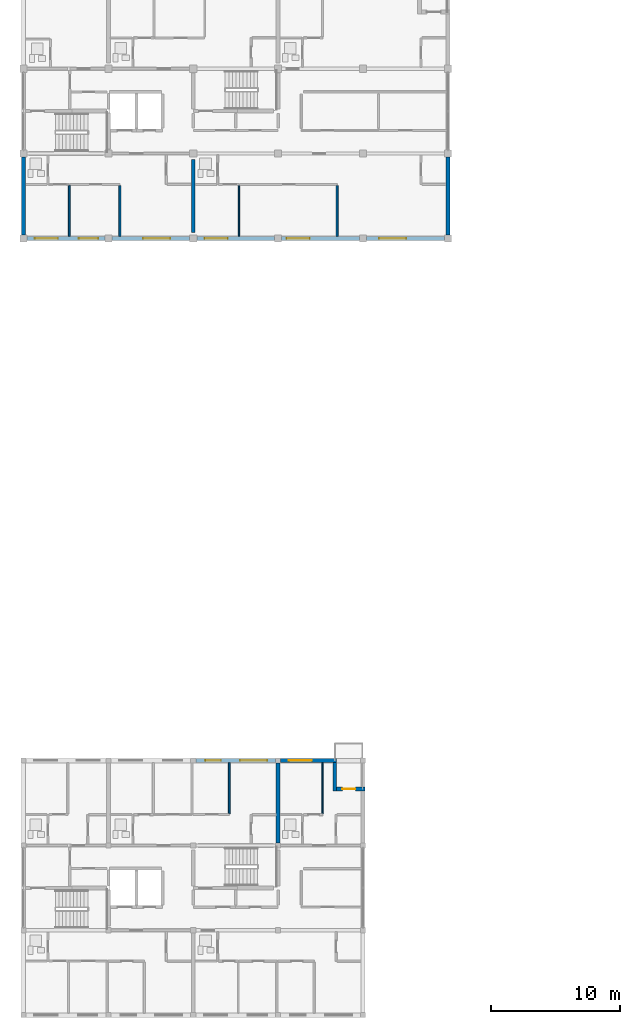
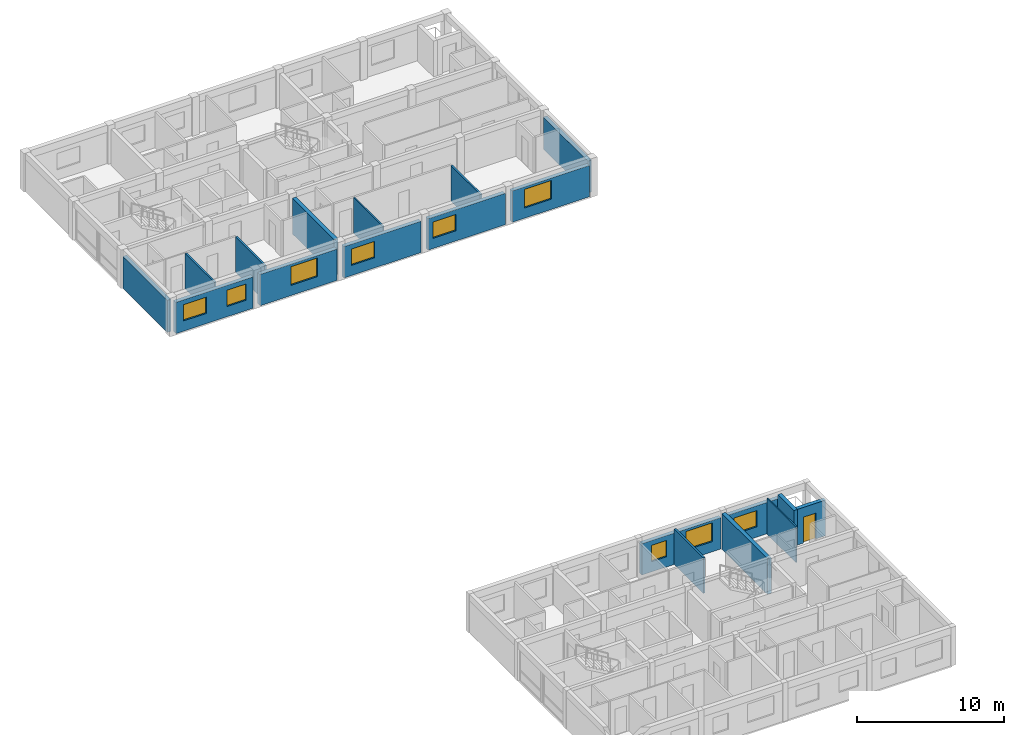
# One storey, part 27 of 45: 19 walls, 9 windows, 1 door, 10 openings.
"""IFC4 building model written with IfcOpenShell, lengths in metres."""

from ifc_helpers import new_model, si_unit, direction, frame, frame_2d, origin, place, context, subcontext, project, spatial, rectangle, extrude, material, layer, layer_set, type_object, element, fill, save


model = new_model("IFC4")

# Units and contexts
model_context = context("Model", 3, precision=1e-05, world=origin(), true_north=direction((0.0, 1.0)))
body_context = subcontext(model_context, "Body", "Model", "MODEL_VIEW")
ifc_project = project(units=[si_unit("LENGTHUNIT", "METRE"), si_unit("AREAUNIT", "SQUARE_METRE"), si_unit("VOLUMEUNIT", "CUBIC_METRE"), si_unit("PLANEANGLEUNIT", "RADIAN"), si_unit("MASSUNIT", "GRAM", prefix="KILO")], contexts=[model_context])

# Site, building, storey
site_placement = place(None, origin())
site = spatial("IfcSite", under=ifc_project, at=site_placement, CompositionType="ELEMENT")
building_placement = place(site_placement, origin())
building = spatial("IfcBuilding", under=site, at=building_placement, Name="Kernevlak Ridge Housing Community", CompositionType="ELEMENT")
storey_placement = place(building_placement, frame((0.0, 0.0, 14.800048828125)))
storey = spatial("IfcBuildingStorey", under=building, at=storey_placement, Name="L04", CompositionType="ELEMENT", Elevation=14.800048828125)

# Wall, openings, windows
ifc_material_1 = material(Name="Concrete block masonry M10", Category="masonry")
ifc_layer_1 = layer(ifc_material_1, 0.300048828125, Name="Concrete block masonry M10")
ifc_layer_set_1 = layer_set([ifc_layer_1], Name="Concrete block masonry M10")
wall_type_1 = type_object("IfcWallType", Name="EW-01", PredefinedType="STANDARD", material=ifc_layer_set_1)
wall_1_placement = place(storey_placement, frame((15.875, 76.0, 0.0), z_axis=(0.0, 0.0, 1.0), x_axis=(1.0, 0.0, 0.0)))
wall_1 = element("IfcWall", 1, at=wall_1_placement, inside=storey, type_object=wall_type_1, Name="Exterior wall EW-01 L04 61", PredefinedType="STANDARD", context=body_context, shape_type="SweptSolid", body=[
    extrude(rectangle(XDim=6.050048828125, YDim=0.300048828125, at=frame_2d((3.02490234375, 0.0))), origin(), (0.0, 0.0, 1.0), 2.599853515625),
])
opening_1_placement = place(wall_1_placement, frame((0.60009765625, 0.0, 0.85009765625)))
opening_1 = element("IfcOpeningElement", 2, at=opening_1_placement, cuts=wall_1, Name="Opening WT-03", PredefinedType="OPENING", context=body_context, shape_type="SweptSolid", body=[
    extrude(rectangle(XDim=1.800048828125, YDim=1.35009765625, at=frame_2d((0.89990234375, 0.675048828125))), frame((0.0, 0.159912109375, 0.0), z_axis=(0.0, -1.0, 0.0), x_axis=(1.0, 0.0, 0.0)), (0.0, 0.0, 1.0), 0.320068359375),
])
opening_2_placement = place(wall_1_placement, frame((4.02490234375, 0.0, 0.85009765625)))
opening_2 = element("IfcOpeningElement", 3, at=opening_2_placement, cuts=wall_1, Name="Opening WT-02", PredefinedType="OPENING", context=body_context, shape_type="SweptSolid", body=[
    extrude(rectangle(XDim=1.5, YDim=1.35009765625, at=frame_2d((0.75, 0.675048828125))), frame((0.0, 0.159912109375, 0.0), z_axis=(0.0, -1.0, 0.0), x_axis=(1.0, 0.0, 0.0)), (0.0, 0.0, 1.0), 0.320068359375),
])
ifc_material_2 = material(Name="Aluminium EN AW-6060 anodised and laminated glass", Category="aluminium")
window_type_1 = type_object("IfcWindowType", Name="WT-02", PartitioningType="SINGLE_PANEL", PredefinedType="WINDOW", material=ifc_material_2)
window_1_placement = place(opening_2_placement, origin())
window_1 = element("IfcWindow", 4, at=window_1_placement, inside=storey, type_object=window_type_1, Name="Window WT-02 L04 46", OverallHeight=1.35009765625, OverallWidth=1.5, PartitioningType="SINGLE_PANEL", PredefinedType="WINDOW", context=body_context, shape_type="SweptSolid", body=[
    extrude(rectangle(XDim=1.5, YDim=1.35009765625, at=frame_2d((0.75, 0.675048828125))), frame((0.0, 0.030029296875, 0.0), z_axis=(0.0, -1.0, 0.0), x_axis=(1.0, 0.0, 0.0)), (0.0, 0.0, 1.0), 0.06005859375),
])
fill(opening_2, window_1)
window_type_2 = type_object("IfcWindowType", Name="WT-03", PartitioningType="SINGLE_PANEL", PredefinedType="WINDOW", material=ifc_material_2)
window_2_placement = place(opening_1_placement, origin())
window_2 = element("IfcWindow", 5, at=window_2_placement, inside=storey, type_object=window_type_2, Name="Window WT-03 L04 45", OverallHeight=1.35009765625, OverallWidth=1.800048828125, PartitioningType="SINGLE_PANEL", PredefinedType="WINDOW", context=body_context, shape_type="SweptSolid", body=[
    extrude(rectangle(XDim=1.800048828125, YDim=1.35009765625, at=frame_2d((0.89990234375, 0.675048828125))), frame((0.0, 0.030029296875, 0.0), z_axis=(0.0, -1.0, 0.0), x_axis=(1.0, 0.0, 0.0)), (0.0, 0.0, 1.0), 0.06005859375),
])
fill(opening_1, window_2)

# Wall, opening, window
wall_2_placement = place(storey_placement, frame((22.47509765625, 76.0, 0.0), z_axis=(0.0, 0.0, 1.0), x_axis=(1.0, 0.0, 0.0)))
wall_2 = element("IfcWall", 6, at=wall_2_placement, inside=storey, type_object=wall_type_1, Name="Exterior wall EW-01 L04 62", PredefinedType="STANDARD", context=body_context, shape_type="SweptSolid", body=[
    extrude(rectangle(XDim=6.0498046875, YDim=0.300048828125, at=frame_2d((3.02490234375, 0.0))), origin(), (0.0, 0.0, 1.0), 2.599853515625),
])
opening_3_placement = place(wall_2_placement, frame((2.4208984375, 0.0, 0.85009765625)))
opening_3 = element("IfcOpeningElement", 7, at=opening_3_placement, cuts=wall_2, Name="Opening WT-05", PredefinedType="OPENING", context=body_context, shape_type="SweptSolid", body=[
    extrude(rectangle(XDim=2.10009765625, YDim=1.550048828125, at=frame_2d((1.050048828125, 0.77490234375))), frame((0.0, 0.159912109375, 0.0), z_axis=(0.0, -1.0, 0.0), x_axis=(1.0, 0.0, 0.0)), (0.0, 0.0, 1.0), 0.320068359375),
])
window_type_3 = type_object("IfcWindowType", Name="WT-05", PartitioningType="SINGLE_PANEL", PredefinedType="WINDOW", material=ifc_material_2)
window_3_placement = place(opening_3_placement, origin())
window_3 = element("IfcWindow", 8, at=window_3_placement, inside=storey, type_object=window_type_3, Name="Window WT-05 L04 47", OverallHeight=1.550048828125, OverallWidth=2.10009765625, PartitioningType="SINGLE_PANEL", PredefinedType="WINDOW", context=body_context, shape_type="SweptSolid", body=[
    extrude(rectangle(XDim=2.10009765625, YDim=1.550048828125, at=frame_2d((1.050048828125, 0.77490234375))), frame((0.0, 0.030029296875, 0.0), z_axis=(0.0, -1.0, 0.0), x_axis=(1.0, 0.0, 0.0)), (0.0, 0.0, 1.0), 0.06005859375),
])
fill(opening_3, window_3)

wall_3_placement = place(storey_placement, frame((29.074951171875, 76.0, 0.0), z_axis=(0.0, 0.0, 1.0), x_axis=(1.0, 0.0, 0.0)))
wall_3 = element("IfcWall", 9, at=wall_3_placement, inside=storey, type_object=wall_type_1, Name="Exterior wall EW-01 L04 63", PredefinedType="STANDARD", context=body_context, shape_type="SweptSolid", body=[
    extrude(rectangle(XDim=6.050048828125, YDim=0.300048828125, at=frame_2d((3.02490234375, 0.0))), origin(), (0.0, 0.0, 1.0), 2.599853515625),
])
opening_4_placement = place(wall_3_placement, frame((0.60009765625, 0.0, 0.85009765625)))
opening_4 = element("IfcOpeningElement", 10, at=opening_4_placement, cuts=wall_3, Name="Opening WT-03", PredefinedType="OPENING", context=body_context, shape_type="SweptSolid", body=[
    extrude(rectangle(XDim=1.800048828125, YDim=1.35009765625, at=frame_2d((0.89990234375, 0.675048828125))), frame((0.0, 0.159912109375, 0.0), z_axis=(0.0, -1.0, 0.0), x_axis=(1.0, 0.0, 0.0)), (0.0, 0.0, 1.0), 0.320068359375),
])
window_4_placement = place(opening_4_placement, origin())
window_4 = element("IfcWindow", 11, at=window_4_placement, inside=storey, type_object=window_type_2, Name="Window WT-03 L04 48", OverallHeight=1.35009765625, OverallWidth=1.800048828125, PartitioningType="SINGLE_PANEL", PredefinedType="WINDOW", context=body_context, shape_type="SweptSolid", body=[
    extrude(rectangle(XDim=1.800048828125, YDim=1.35009765625, at=frame_2d((0.89990234375, 0.675048828125))), frame((0.0, 0.030029296875, 0.0), z_axis=(0.0, -1.0, 0.0), x_axis=(1.0, 0.0, 0.0)), (0.0, 0.0, 1.0), 0.06005859375),
])
fill(opening_4, window_4)

wall_4_placement = place(storey_placement, frame((35.675048828125, 76.0, 0.0), z_axis=(0.0, 0.0, 1.0), x_axis=(1.0, 0.0, 0.0)))
wall_4 = element("IfcWall", 12, at=wall_4_placement, inside=storey, type_object=wall_type_1, Name="Exterior wall EW-01 L04 64", PredefinedType="STANDARD", context=body_context, shape_type="SweptSolid", body=[
    extrude(rectangle(XDim=6.050048828125, YDim=0.300048828125, at=frame_2d((3.02490234375, 0.0))), origin(), (0.0, 0.0, 1.0), 2.599853515625),
])
opening_5_placement = place(wall_4_placement, frame((0.375, 0.0, 0.85009765625)))
opening_5 = element("IfcOpeningElement", 13, at=opening_5_placement, cuts=wall_4, Name="Opening WT-03", PredefinedType="OPENING", context=body_context, shape_type="SweptSolid", body=[
    extrude(rectangle(XDim=1.800048828125, YDim=1.35009765625, at=frame_2d((0.89990234375, 0.675048828125))), frame((0.0, 0.159912109375, 0.0), z_axis=(0.0, -1.0, 0.0), x_axis=(1.0, 0.0, 0.0)), (0.0, 0.0, 1.0), 0.320068359375),
])
window_5_placement = place(opening_5_placement, origin())
window_5 = element("IfcWindow", 14, at=window_5_placement, inside=storey, type_object=window_type_2, Name="Window WT-03 L04 49", OverallHeight=1.35009765625, OverallWidth=1.800048828125, PartitioningType="SINGLE_PANEL", PredefinedType="WINDOW", context=body_context, shape_type="SweptSolid", body=[
    extrude(rectangle(XDim=1.800048828125, YDim=1.35009765625, at=frame_2d((0.89990234375, 0.675048828125))), frame((0.0, 0.030029296875, 0.0), z_axis=(0.0, -1.0, 0.0), x_axis=(1.0, 0.0, 0.0)), (0.0, 0.0, 1.0), 0.06005859375),
])
fill(opening_5, window_5)

wall_5_placement = place(storey_placement, frame((42.27490234375, 76.0, 0.0), z_axis=(0.0, 0.0, 1.0), x_axis=(1.0, 0.0, 0.0)))
wall_5 = element("IfcWall", 15, at=wall_5_placement, inside=storey, type_object=wall_type_1, Name="Exterior wall EW-01 L04 65", PredefinedType="STANDARD", context=body_context, shape_type="SweptSolid", body=[
    extrude(rectangle(XDim=6.050048828125, YDim=0.300048828125, at=frame_2d((3.02490234375, 0.0))), origin(), (0.0, 0.0, 1.0), 2.599853515625),
])
opening_6_placement = place(wall_5_placement, frame((0.968994140625, 0.0, 0.85009765625)))
opening_6 = element("IfcOpeningElement", 16, at=opening_6_placement, cuts=wall_5, Name="Opening WT-05", PredefinedType="OPENING", context=body_context, shape_type="SweptSolid", body=[
    extrude(rectangle(XDim=2.10009765625, YDim=1.550048828125, at=frame_2d((1.050048828125, 0.77490234375))), frame((0.0, 0.159912109375, 0.0), z_axis=(0.0, -1.0, 0.0), x_axis=(1.0, 0.0, 0.0)), (0.0, 0.0, 1.0), 0.320068359375),
])
window_6_placement = place(opening_6_placement, origin())
window_6 = element("IfcWindow", 17, at=window_6_placement, inside=storey, type_object=window_type_3, Name="Window WT-05 L04 50", OverallHeight=1.550048828125, OverallWidth=2.10009765625, PartitioningType="SINGLE_PANEL", PredefinedType="WINDOW", context=body_context, shape_type="SweptSolid", body=[
    extrude(rectangle(XDim=2.10009765625, YDim=1.550048828125, at=frame_2d((1.050048828125, 0.77490234375))), frame((0.0, 0.030029296875, 0.0), z_axis=(0.0, -1.0, 0.0), x_axis=(1.0, 0.0, 0.0)), (0.0, 0.0, 1.0), 0.06005859375),
])
fill(opening_6, window_6)

# Walls
for number, where, z_axis, x_axis, name in (
    (18, (15.60009765625, 76.27490234375, 0.0), (0.0, 0.0, 1.0), (0.0, 1.0, 0.0), "Exterior wall EW-01 L04 73"),
    (19, (48.60009765625, 76.27490234375, 0.0), (0.0, 0.0, 1.0), (0.0, 1.0, 0.0), "Exterior wall EW-01 L04 75"),
):
    element("IfcWall", number, at=place(storey_placement, frame(where, z_axis=z_axis, x_axis=x_axis)), inside=storey, type_object=wall_type_1, Name=name, PredefinedType="STANDARD", context=body_context, shape_type="SweptSolid", body=[
        extrude(rectangle(XDim=6.050048828125, YDim=0.300048828125, at=frame_2d((3.02490234375, 0.0))), origin(), (0.0, 0.0, 1.0), 2.64990234375),
    ])

# Wall, openings, windows
wall_6_placement = place(storey_placement, frame((29.0, 35.39990234375, 0.0), z_axis=(0.0, 0.0, 1.0), x_axis=(1.0, 0.0, 0.0)))
wall_6 = element("IfcWall", 20, at=wall_6_placement, inside=storey, type_object=wall_type_1, Name="Exterior wall EW-01 L04 773", PredefinedType="STANDARD", context=body_context, shape_type="SweptSolid", body=[
    extrude(rectangle(XDim=6.199951171875, YDim=0.300048828125, at=frame_2d((3.10009765625, 0.0))), origin(), (0.0, 0.0, 1.0), 2.599853515625),
])
opening_7_placement = place(wall_6_placement, frame((0.75, 0.0, 0.85009765625)))
opening_7 = element("IfcOpeningElement", 21, at=opening_7_placement, cuts=wall_6, Name="Opening WT-01", PredefinedType="OPENING", context=body_context, shape_type="SweptSolid", body=[
    extrude(rectangle(XDim=1.199951171875, YDim=1.35009765625, at=frame_2d((0.60009765625, 0.675048828125))), frame((0.0, 0.159912109375, 0.0), z_axis=(0.0, -1.0, 0.0), x_axis=(1.0, 0.0, 0.0)), (0.0, 0.0, 1.0), 0.320068359375),
])
opening_8_placement = place(wall_6_placement, frame((3.449951171875, 0.0, 0.85009765625)))
opening_8 = element("IfcOpeningElement", 22, at=opening_8_placement, cuts=wall_6, Name="Opening WT-05", PredefinedType="OPENING", context=body_context, shape_type="SweptSolid", body=[
    extrude(rectangle(XDim=2.10009765625, YDim=1.550048828125, at=frame_2d((1.050048828125, 0.77490234375))), frame((0.0, 0.159912109375, 0.0), z_axis=(0.0, -1.0, 0.0), x_axis=(1.0, 0.0, 0.0)), (0.0, 0.0, 1.0), 0.320068359375),
])
window_type_4 = type_object("IfcWindowType", Name="WT-01", PartitioningType="SINGLE_PANEL", PredefinedType="WINDOW", material=ifc_material_2)
window_7_placement = place(opening_7_placement, origin())
window_7 = element("IfcWindow", 23, at=window_7_placement, inside=storey, type_object=window_type_4, Name="Window WT-01 L04 647", OverallHeight=1.35009765625, OverallWidth=1.199951171875, PartitioningType="SINGLE_PANEL", PredefinedType="WINDOW", context=body_context, shape_type="SweptSolid", body=[
    extrude(rectangle(XDim=1.199951171875, YDim=1.35009765625, at=frame_2d((0.60009765625, 0.675048828125))), frame((0.0, 0.030029296875, 0.0), z_axis=(0.0, -1.0, 0.0), x_axis=(1.0, 0.0, 0.0)), (0.0, 0.0, 1.0), 0.06005859375),
])
fill(opening_7, window_7)
window_8_placement = place(opening_8_placement, origin())
window_8 = element("IfcWindow", 24, at=window_8_placement, inside=storey, type_object=window_type_3, Name="Window WT-05 L04 648", OverallHeight=1.550048828125, OverallWidth=2.10009765625, PartitioningType="SINGLE_PANEL", PredefinedType="WINDOW", context=body_context, shape_type="SweptSolid", body=[
    extrude(rectangle(XDim=2.10009765625, YDim=1.550048828125, at=frame_2d((1.050048828125, 0.77490234375))), frame((0.0, 0.030029296875, 0.0), z_axis=(0.0, -1.0, 0.0), x_axis=(1.0, 0.0, 0.0)), (0.0, 0.0, 1.0), 0.06005859375),
])
fill(opening_8, window_8)

# Wall, opening, window
wall_7_placement = place(storey_placement, frame((35.60009765625, 35.39990234375, 0.0), z_axis=(0.0, 0.0, 1.0), x_axis=(1.0, 0.0, 0.0)))
wall_7 = element("IfcWall", 25, at=wall_7_placement, inside=storey, type_object=wall_type_1, Name="Exterior wall EW-01 L04 774", PredefinedType="STANDARD", context=body_context, shape_type="SweptSolid", body=[
    extrude(rectangle(XDim=4.349853515625, YDim=0.300048828125, at=frame_2d((2.1748046875, 0.0))), origin(), (0.0, 0.0, 1.0), 2.599853515625),
])
opening_9_placement = place(wall_7_placement, frame((0.625, 0.0, 0.85009765625)))
opening_9 = element("IfcOpeningElement", 26, at=opening_9_placement, cuts=wall_7, Name="Opening WT-03", PredefinedType="OPENING", context=body_context, shape_type="SweptSolid", body=[
    extrude(rectangle(XDim=1.800048828125, YDim=1.35009765625, at=frame_2d((0.89990234375, 0.675048828125))), frame((0.0, 0.159912109375, 0.0), z_axis=(0.0, -1.0, 0.0), x_axis=(1.0, 0.0, 0.0)), (0.0, 0.0, 1.0), 0.320068359375),
])
window_9_placement = place(opening_9_placement, origin())
window_9 = element("IfcWindow", 27, at=window_9_placement, inside=storey, type_object=window_type_2, Name="Window WT-03 L04 649", OverallHeight=1.35009765625, OverallWidth=1.800048828125, PartitioningType="SINGLE_PANEL", PredefinedType="WINDOW", context=body_context, shape_type="SweptSolid", body=[
    extrude(rectangle(XDim=1.800048828125, YDim=1.35009765625, at=frame_2d((0.89990234375, 0.675048828125))), frame((0.0, 0.030029296875, 0.0), z_axis=(0.0, -1.0, 0.0), x_axis=(1.0, 0.0, 0.0)), (0.0, 0.0, 1.0), 0.06005859375),
])
fill(opening_9, window_9)

# Wall
wall_8_placement = place(storey_placement, frame((39.800048828125, 35.25, 0.0), z_axis=(0.0, 0.0, 1.0), x_axis=(0.0, -1.0, 0.0)))
element("IfcWall", 28, at=wall_8_placement, inside=storey, type_object=wall_type_1, Name="Exterior wall EW-01 L04 775", PredefinedType="STANDARD", context=body_context, shape_type="SweptSolid", body=[
    extrude(rectangle(XDim=2.199951171875, YDim=0.300048828125, at=frame_2d((1.10009765625, 0.0))), origin(), (0.0, 0.0, 1.0), 2.9599609375),
])

# Wall, opening, door
wall_9_placement = place(storey_placement, frame((39.949951171875, 33.199951171875, 0.0), z_axis=(0.0, 0.0, 1.0), x_axis=(1.0, 0.0, 0.0)))
wall_9 = element("IfcWall", 29, at=wall_9_placement, inside=storey, type_object=wall_type_1, Name="Exterior wall EW-01 L04 776", PredefinedType="STANDARD", context=body_context, shape_type="SweptSolid", body=[
    extrude(rectangle(XDim=2.199951171875, YDim=0.300048828125, at=frame_2d((1.10009765625, 0.0))), origin(), (0.0, 0.0, 1.0), 2.9599609375),
])
opening_10_placement = place(wall_9_placement, frame((0.449951171875, 0.0, 0.0)))
opening_10 = element("IfcOpeningElement", 30, at=opening_10_placement, cuts=wall_9, Name="Opening E644", PredefinedType="OPENING", context=body_context, shape_type="SweptSolid", body=[
    extrude(rectangle(XDim=1.0, YDim=2.14990234375, at=frame_2d((0.5, 1.074951171875))), frame((0.0, 0.159912109375, 0.0), z_axis=(0.0, -1.0, 0.0), x_axis=(1.0, 0.0, 0.0)), (0.0, 0.0, 1.0), 0.320068359375),
])
ifc_material_3 = material(Name="Aluminium EN AW-6060 and laminated safety glass", Category="aluminium")
door_type = type_object("IfcDoorType", Name="DT-08", OperationType="NOTDEFINED", PredefinedType="DOOR", material=ifc_material_3)
door_placement = place(opening_10_placement, origin())
door = element("IfcDoor", 31, at=door_placement, inside=storey, type_object=door_type, Name="Flat D0423 corner balcony glazed door E644", OperationType="SINGLE_SWING_LEFT", OverallHeight=2.14990234375, OverallWidth=1.0, PredefinedType="DOOR", context=body_context, shape_type="SweptSolid", body=[
    extrude(rectangle(XDim=1.0, YDim=2.14990234375, at=frame_2d((0.5, 1.074951171875))), frame((0.0, 0.02490234375, 0.0), z_axis=(0.0, -1.0, 0.0), x_axis=(1.0, 0.0, 0.0)), (0.0, 0.0, 1.0), 0.050048828125),
])
fill(opening_10, door)

# Walls
ifc_layer_2 = layer(ifc_material_1, 0.14501953125, Name="Concrete block masonry M10")
ifc_layer_set_2 = layer_set([ifc_layer_2], Name="Concrete block masonry M10")
wall_type_2 = type_object("IfcWallType", Name="PW-03", PredefinedType="PARTITIONING", material=ifc_layer_set_2)
wall_10_placement = place(storey_placement, frame((19.14990234375, 80.1201171875, 0.0), z_axis=(0.0, 0.0, 1.0), x_axis=(0.0, -1.0, 0.0)))
element("IfcWall", 32, at=wall_10_placement, inside=storey, type_object=wall_type_2, Name="Interior wall PW-03 WAL-INT-L04-0277", PredefinedType="PARTITIONING", context=body_context, shape_type="SweptSolid", body=[
    extrude(rectangle(XDim=3.960205078125, YDim=0.14501953125, at=frame_2d((1.97998046875, 0.0))), origin(), (0.0, 0.0, 1.0), 2.9599609375),
])
for number, where, z_axis, x_axis, name in (
    (33, (23.092041015625, 80.117431640625, 0.0), (0.0, 0.0, 1.0), (0.0, -1.0, 0.0), "Interior wall PW-03 WAL-INT-L04-0279"),
    (34, (39.988037109375, 80.117431640625, 0.0), (0.0, 0.0, 1.0), (0.0, -1.0, 0.0), "Interior wall PW-03 WAL-INT-L04-0288"),
    (35, (31.60009765625, 31.282470703125, 0.0), (0.0, 0.0, 1.0), (0.0, 1.0, 0.0), "Interior wall PW-03 WAL-INT-L04-3234"),
):
    element("IfcWall", number, at=place(storey_placement, frame(where, z_axis=z_axis, x_axis=x_axis)), inside=storey, type_object=wall_type_2, Name=name, PredefinedType="PARTITIONING", context=body_context, shape_type="SweptSolid", body=[
        extrude(rectangle(XDim=3.95751953125, YDim=0.14501953125, at=frame_2d((1.978759765625, 0.0))), origin(), (0.0, 0.0, 1.0), 2.9599609375),
    ])
ifc_material_4 = material(Name="Gypsum plasterboard EN 520", Category="gypsum")
ifc_layer_3 = layer(ifc_material_4, 0.10498046875, Name="Gypsum plasterboard EN 520")
ifc_layer_set_3 = layer_set([ifc_layer_3], Name="Gypsum plasterboard EN 520")
wall_type_3 = type_object("IfcWallType", Name="PW-06", PredefinedType="PARTITIONING", material=ifc_layer_set_3)
for number, where, z_axis, x_axis, name in (
    (36, (32.35009765625, 80.117431640625, 0.0), (0.0, 0.0, 1.0), (0.0, -1.0, 0.0), "Interior wall PW-06 WAL-INT-L04-0286"),
    (37, (38.85009765625, 31.282470703125, 0.0), (0.0, 0.0, 1.0), (0.0, 1.0, 0.0), "Interior wall PW-06 WAL-INT-L04-3241"),
):
    element("IfcWall", number, at=place(storey_placement, frame(where, z_axis=z_axis, x_axis=x_axis)), inside=storey, type_object=wall_type_3, Name=name, PredefinedType="PARTITIONING", context=body_context, shape_type="SweptSolid", body=[
        extrude(rectangle(XDim=3.95751953125, YDim=0.10498046875, at=frame_2d((1.978759765625, 0.0))), origin(), (0.0, 0.0, 1.0), 2.9599609375),
    ])
ifc_material_5 = material(Name="Concrete C40/50", Category="concrete")
ifc_layer_4 = layer(ifc_material_5, 0.300048828125, Name="Concrete C40/50")
ifc_layer_set_4 = layer_set([ifc_layer_4], Name="Concrete C40/50")
wall_type_4 = type_object("IfcWallType", Name="SW-02", PredefinedType="SHEAR", material=ifc_layer_set_4)
wall_11_placement = place(storey_placement, frame((28.800048828125, 76.449951171875, 0.0), z_axis=(0.0, 0.0, 1.0), x_axis=(0.0, 1.0, 0.0)))
element("IfcWall", 38, at=wall_11_placement, inside=storey, type_object=wall_type_4, Name="Shear wall SW-02 Block A L04 58", PredefinedType="SHEAR", context=body_context, shape_type="SweptSolid", body=[
    extrude(rectangle(XDim=5.699951171875, YDim=0.300048828125, at=frame_2d((2.85009765625, 0.0))), origin(), (0.0, 0.0, 1.0), 2.9599609375),
])
wall_12_placement = place(storey_placement, frame((35.39990234375, 29.0, 0.0), z_axis=(0.0, 0.0, 1.0), x_axis=(0.0, 1.0, 0.0)))
element("IfcWall", 39, at=wall_12_placement, inside=storey, type_object=wall_type_4, Name="Shear wall SW-02 Block D L04 556", PredefinedType="SHEAR", context=body_context, shape_type="SweptSolid", body=[
    extrude(rectangle(XDim=6.199951171875, YDim=0.300048828125, at=frame_2d((3.10009765625, 0.0))), origin(), (0.0, 0.0, 1.0), 2.9599609375),
])

save(model, "model.ifc")
